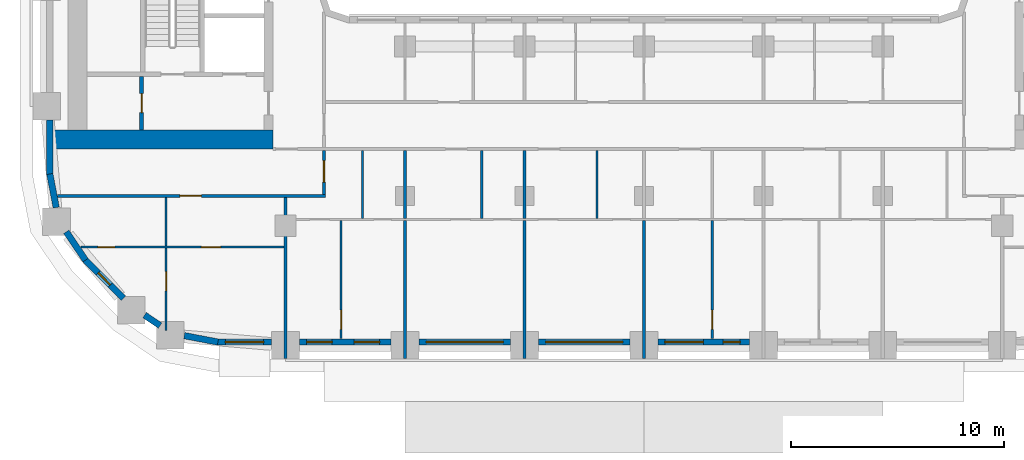
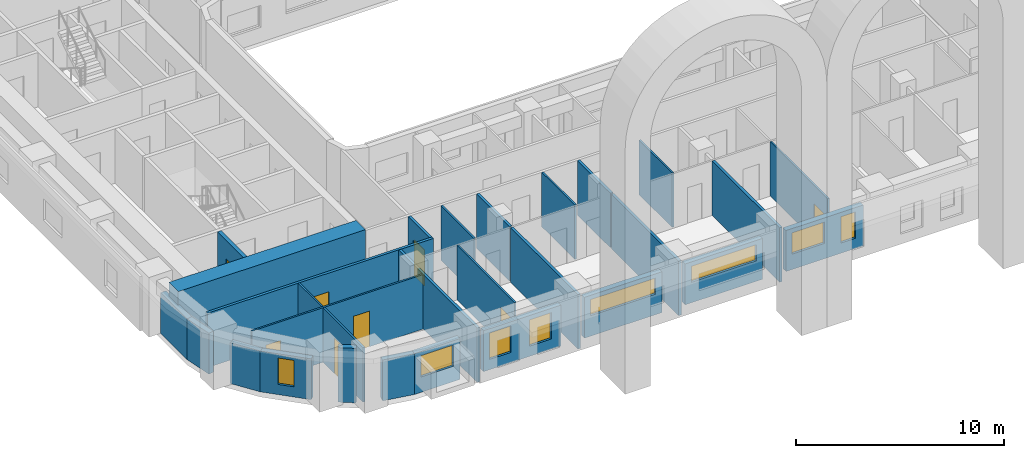
# One storey, part 2 of 19: 29 walls, 8 doors, 8 windows, 16 openings.
"""IFC4 building model written with IfcOpenShell, lengths in metres."""

import ifcopenshell
import ifcopenshell.guid

model = None  # the IFC model being written
_history = None  # IfcOwnerHistory: only IFC2X3 demands one
_inside = {}  # id of a spatial element -> (the spatial element, [elements in it])
_under = {}  # id of a project, library or spatial element -> (it, [spatial elements below it])
_declared = {}  # id of a project -> (the project, [libraries it declares])
_typed = {}  # id of a type object -> (the type object, [elements of that type])
_made_of = {}  # id of a material, layer set ... -> (it, [elements and type objects made of it])


def new_model(schema):
    """Start an empty IFC model of exactly this schema.

    Asked for "IFC4X3", IfcOpenShell would pick the latest addendum, in which some entities
    have other attributes; the version numbers below select the first issue.
    IFC2X3 requires an IfcOwnerHistory on every rooted entity: one is made here for all.
    """
    global model, _history
    if schema == "IFC4X3":
        model = ifcopenshell.file(schema_version=(4, 3, 0, 0))
    else:
        model = ifcopenshell.file(schema=schema)
    _inside.clear()
    _under.clear()
    _declared.clear()
    _typed.clear()
    _made_of.clear()
    _history = None
    if model.schema == "IFC2X3":
        org = make("IfcOrganization", Name="unknown")
        user = make(
            "IfcPersonAndOrganization",
            ThePerson=make("IfcPerson", FamilyName="unknown"),
            TheOrganization=org,
        )
        app = make(
            "IfcApplication",
            ApplicationDeveloper=org,
            Version="unknown",
            ApplicationFullName="unknown",
            ApplicationIdentifier="unknown",
        )
        _history = make(
            "IfcOwnerHistory",
            OwningUser=user,
            OwningApplication=app,
            ChangeAction="ADDED",
            CreationDate=0,
        )
    return model


def make(cls, **values):
    """One entity of the class cls with the attributes given. An attribute that is None is left unset."""
    return model.create_entity(
        cls, **{name: value for name, value in values.items() if value is not None}
    )


def rooted(cls, **values):
    """An entity with a GlobalId (a new one), such as an element, a storey or a relation."""
    return make(cls, GlobalId=ifcopenshell.guid.new(), OwnerHistory=_history, **values)


def si_unit(unit_type, name, prefix=None):
    """IfcSIUnit, for example si_unit("LENGTHUNIT", "METRE", prefix="MILLI")."""
    return make("IfcSIUnit", UnitType=unit_type, Prefix=prefix, Name=name)


def assignment(units):
    """IfcUnitAssignment: the units of a project."""
    return None if units is None else make("IfcUnitAssignment", Units=units)


def point(xyz):
    """IfcCartesianPoint."""
    return None if xyz is None else make("IfcCartesianPoint", Coordinates=xyz)


def direction(xyz):
    """IfcDirection."""
    return None if xyz is None else make("IfcDirection", DirectionRatios=xyz)


def frame(location, z_axis=None, x_axis=None):
    """IfcAxis2Placement3D, a coordinate frame: its origin and axes. An axis left out is left unset."""
    return make(
        "IfcAxis2Placement3D",
        Location=point(location),
        Axis=direction(z_axis),
        RefDirection=direction(x_axis),
    )


def frame_2d(location, x_axis=None):
    """IfcAxis2Placement2D, a coordinate frame in the plane: its origin and x axis."""
    return make(
        "IfcAxis2Placement2D", Location=point(location), RefDirection=direction(x_axis)
    )


def origin():
    """The frame at (0, 0, 0) with its axes left unset."""
    return frame((0.0, 0.0, 0.0))


def place(relative_to, where):
    """IfcLocalPlacement: puts the frame where relative to a parent placement (None: the world)."""
    return make(
        "IfcLocalPlacement", PlacementRelTo=relative_to, RelativePlacement=where
    )


def context(
    kind, dimensions, precision=None, world=None, true_north=None, identifier=None
):
    """IfcGeometricRepresentationContext, for example the 3D "Model" context."""
    return make(
        "IfcGeometricRepresentationContext",
        ContextIdentifier=identifier,
        ContextType=kind,
        CoordinateSpaceDimension=dimensions,
        Precision=precision,
        WorldCoordinateSystem=world,
        TrueNorth=true_north,
    )


def subcontext(parent, identifier, kind, view, scale=None):
    """IfcGeometricRepresentationSubContext, for example "Body" below "Model"."""
    return make(
        "IfcGeometricRepresentationSubContext",
        ContextIdentifier=identifier,
        ContextType=kind,
        ParentContext=parent,
        TargetScale=scale,
        TargetView=view,
    )


def project(units=None, contexts=None):
    """IfcProject with its units and contexts."""
    return rooted(
        "IfcProject",
        Name="project",
        RepresentationContexts=contexts,
        UnitsInContext=assignment(units),
    )


def spatial(cls, under=None, at=None, **own):
    """A site, building, storey or space (cls), placed at a placement, below another one or the project."""
    s = rooted(cls, ObjectPlacement=at, **own)
    if under is not None:
        _under.setdefault(under.id(), (under, []))[1].append(s)
    return s


def profile(cls, at=None, kind="AREA", **sizes):
    """A parametric profile (cls). Its sizes go by their IFC names, for example OverallWidth=200.0."""
    return make(cls, ProfileType=kind, Position=at, **sizes)


def rectangle(**sizes):
    """IfcRectangleProfileDef."""
    return profile("IfcRectangleProfileDef", **sizes)


def extrude(swept, where, along, depth):
    """IfcExtrudedAreaSolid: the profile swept, set in the frame where, extruded along a direction by depth."""
    return make(
        "IfcExtrudedAreaSolid",
        SweptArea=swept,
        Position=where,
        ExtrudedDirection=direction(along),
        Depth=depth,
    )


def shape(context_of_items, identifier, shape_type, items):
    """IfcShapeRepresentation: the items that make up one representation, for example the "Body"."""
    return make(
        "IfcShapeRepresentation",
        ContextOfItems=context_of_items,
        RepresentationIdentifier=identifier,
        RepresentationType=shape_type,
        Items=items,
    )


def material(Name=None, Category=None):
    """IfcMaterial."""
    return make("IfcMaterial", Name=Name, Category=Category)


def layer(
    of_material, thickness, ventilated=None, Name=None, Category=None, Priority=None
):
    """IfcMaterialLayer: one layer of a wall or slab, of a material (None: an air gap)."""
    return make(
        "IfcMaterialLayer",
        Material=of_material,
        LayerThickness=thickness,
        IsVentilated=ventilated,
        Name=Name,
        Category=Category,
        Priority=Priority,
    )


def layer_set(layers, Name=None):
    """IfcMaterialLayerSet."""
    return make("IfcMaterialLayerSet", MaterialLayers=layers, LayerSetName=Name)


def made_of(thing, what):
    """Note that an element or type object is made of a material, layer set ...; save() writes the relation."""
    if what is not None:
        _made_of.setdefault(what.id(), (what, []))[1].append(thing)
    return thing


def type_object(cls, material=None, **own):
    """A type object (cls), such as IfcWallType, which elements share."""
    return made_of(rooted(cls, **own), material)


def element(
    cls,
    number,
    at=None,
    inside=None,
    cuts=None,
    type_object=None,
    material=None,
    context=None,
    identifier="Body",
    shape_type=None,
    held_by="IfcProductDefinitionShape",
    body=None,
    shapes=None,
    **own,
):
    """One element of the class cls, such as IfcWall. Its Tag is "e" and its number.

    at: its placement. inside: the storey or other place that contains it. cuts: it is an
    opening in that element (IfcRelVoidsElement). A single representation is given by context,
    identifier, shape_type and body (its items); several are given by shapes. held_by: the class
    of the entity that holds the representations. save() writes the other relations.
    """
    e = rooted(cls, Tag="e%d" % number, ObjectPlacement=at, **own)
    if body is not None:
        shapes = [shape(context, identifier, shape_type, body)]
    if shapes is not None:
        e.Representation = make(held_by, Representations=shapes)
    if inside is not None:
        _inside.setdefault(inside.id(), (inside, []))[1].append(e)
    if cuts is not None:
        rooted(
            "IfcRelVoidsElement", RelatingBuildingElement=cuts, RelatedOpeningElement=e
        )
    if type_object is not None:
        _typed.setdefault(type_object.id(), (type_object, []))[1].append(e)
    return made_of(e, material)


def fill(opening, filler):
    """IfcRelFillsElement: the door or window that sits in an opening."""
    return rooted(
        "IfcRelFillsElement",
        RelatingOpeningElement=opening,
        RelatedBuildingElement=filler,
    )


def aggregate(whole, parts):
    """IfcRelAggregates: a whole, such as a stair, and the parts it consists of."""
    return rooted("IfcRelAggregates", RelatingObject=whole, RelatedObjects=parts)


def save(model, path):
    """Write the relations noted so far, then the file.

    IfcRelAggregates (storeys below a building ...), IfcRelContainedInSpatialStructure (elements
    in a storey), IfcRelDefinesByType, IfcRelAssociatesMaterial and IfcRelDeclares: one each for
    every whole, place, type object, material and project.
    """
    for whole, parts in _under.values():
        aggregate(whole, parts)
    for where, things in _inside.values():
        rooted(
            "IfcRelContainedInSpatialStructure",
            RelatedElements=things,
            RelatingStructure=where,
        )
    for kind, things in _typed.values():
        rooted("IfcRelDefinesByType", RelatedObjects=things, RelatingType=kind)
    for what, things in _made_of.values():
        rooted("IfcRelAssociatesMaterial", RelatedObjects=things, RelatingMaterial=what)
    for by, libraries in _declared.values():
        rooted("IfcRelDeclares", RelatingContext=by, RelatedDefinitions=libraries)
    model.write(path)


model = new_model("IFC4")

# Units and contexts
model_context = context("Model", 3, precision=1e-05, world=origin(), true_north=direction((0.0, 1.0)))
body_context = subcontext(model_context, "Body", "Model", "MODEL_VIEW")
ifc_project = project(units=[si_unit("LENGTHUNIT", "METRE"), si_unit("AREAUNIT", "SQUARE_METRE"), si_unit("VOLUMEUNIT", "CUBIC_METRE"), si_unit("PLANEANGLEUNIT", "RADIAN"), si_unit("MASSUNIT", "GRAM", prefix="KILO")], contexts=[model_context])

# Site, building, storey
site_placement = place(None, origin())
site = spatial("IfcSite", under=ifc_project, at=site_placement, CompositionType="ELEMENT")
building_placement = place(site_placement, origin())
building = spatial("IfcBuilding", under=site, at=building_placement, Name="Kiln Ring Residences", CompositionType="ELEMENT")
storey_placement = place(building_placement, frame((0.0, 0.0, 104.300048828125)))
storey = spatial("IfcBuildingStorey", under=building, at=storey_placement, Name="L26", CompositionType="ELEMENT", Elevation=104.300048828125)

# Wall, opening, door
ifc_material_1 = material(Name="Gypsum board on steel studs", Category="steel")
ifc_layer_1 = layer(ifc_material_1, 0.199951171875)
ifc_layer_set_1 = layer_set([ifc_layer_1], Name="CORE-PARTITION-200")
wall_type_1 = type_object("IfcWallType", Name="CORE-PARTITION-200", PredefinedType="PARTITIONING", material=ifc_layer_set_1)
wall_1_placement = place(storey_placement, frame((-23.550048828125, -12.300048828125, 0.0), z_axis=(0.0, 0.0, 1.0), x_axis=(0.0, 1.0, 0.0)))
wall_1 = element("IfcWall", 1, at=wall_1_placement, inside=storey, type_object=wall_type_1, Name="Core partition west L26 5", PredefinedType="PARTITIONING", context=body_context, shape_type="SweptSolid", body=[
    extrude(rectangle(XDim=2.5, YDim=0.199951171875, at=frame_2d((1.25, 0.0))), origin(), (0.0, 0.0, 1.0), 3.199951171875),
])
opening_1_placement = place(wall_1_placement, frame((0.800048828125, 0.0, 0.0)))
opening_1 = element("IfcOpeningElement", 2, at=opening_1_placement, cuts=wall_1, Name="Opening L26-CW11", PredefinedType="OPENING", context=body_context, shape_type="SweptSolid", body=[
    extrude(rectangle(XDim=0.89990234375, YDim=2.10009765625, at=frame_2d((0.449951171875, 1.050048828125))), frame((0.0, 0.10986328125, 0.0), z_axis=(0.0, -1.0, 0.0), x_axis=(1.0, 0.0, 0.0)), (0.0, 0.0, 1.0), 0.219970703125),
])
ifc_material_2 = material(Name="Steel door leaf", Category="steel")
door_type_1 = type_object("IfcDoorType", Name="CORE-DOOR-ROOM", OperationType="SINGLE_SWING_LEFT", PredefinedType="DOOR", material=ifc_material_2)
door_1_placement = place(opening_1_placement, origin())
door_1 = element("IfcDoor", 3, at=door_1_placement, inside=storey, type_object=door_type_1, Name="Store L26-CW11", OperationType="SINGLE_SWING_LEFT", OverallHeight=2.10009765625, OverallWidth=0.89990234375, PredefinedType="DOOR", context=body_context, shape_type="SweptSolid", body=[
    extrude(rectangle(XDim=0.89990234375, YDim=2.10009765625, at=frame_2d((0.449951171875, 1.050048828125))), frame((0.0, 0.02490234375, 0.0), z_axis=(0.0, -1.0, 0.0), x_axis=(1.0, 0.0, 0.0)), (0.0, 0.0, 1.0), 0.050048828125),
])
fill(opening_1, door_1)

# Wall
ifc_material_3 = material(Name="Concrete C60/75", Category="concrete")
ifc_layer_2 = layer(ifc_material_3, 0.89990234375)
ifc_layer_set_2 = layer_set([ifc_layer_2], Name="CORE-WALL-RC900")
wall_type_2 = type_object("IfcWallType", Name="CORE-WALL-RC900", PredefinedType="SHEAR", material=ifc_layer_set_2)
wall_2_placement = place(storey_placement, frame((-17.39990234375, -12.75, 0.0), z_axis=(0.0, 0.0, 1.0), x_axis=(-1.0, 0.0, 0.0)))
element("IfcWall", 4, at=wall_2_placement, inside=storey, type_object=wall_type_2, Name="Core wall west L26 5", PredefinedType="SHEAR", context=body_context, shape_type="SweptSolid", body=[
    extrude(rectangle(XDim=10.400146484375, YDim=0.89990234375, at=frame_2d((5.2001953125, 0.0))), origin(), (0.0, 0.0, 1.0), 3.199951171875),
])

# Wall, opening, window
ifc_material_4 = material(Name="Brick masonry, dark clay brick", Category="masonry")
ifc_layer_3 = layer(ifc_material_4, 0.300048828125)
ifc_layer_set_3 = layer_set([ifc_layer_3], Name="EW-300 BRICK WALL")
wall_type_3 = type_object("IfcWallType", Name="EW-300 BRICK WALL", PredefinedType="SOLIDWALL", material=ifc_layer_set_3)
wall_3_placement = place(storey_placement, frame((-26.19677734375, -18.390869140625, 0.0), z_axis=(0.0, 0.0, 1.0), x_axis=(0.707058908279, -0.707154650853, 0.0)))
wall_3 = element("IfcWall", 5, at=wall_3_placement, inside=storey, type_object=wall_type_3, Name="Facade wall L26 1", PredefinedType="SOLIDWALL", context=body_context, shape_type="SweptSolid", body=[
    extrude(rectangle(XDim=2.550048828125, YDim=0.300048828125, at=frame_2d((1.27490234375, 0.0))), origin(), (0.0, 0.0, 1.0), 2.39990234375),
])
opening_2_placement = place(wall_3_placement, frame((0.875, 0.0, 0.60009765625)))
opening_2 = element("IfcOpeningElement", 6, at=opening_2_placement, cuts=wall_3, Name="Opening W5", PredefinedType="OPENING", context=body_context, shape_type="SweptSolid", body=[
    extrude(rectangle(XDim=0.800048828125, YDim=1.550048828125, at=frame_2d((0.39990234375, 0.77490234375))), frame((0.0, 0.159912109375, 0.0), z_axis=(0.0, -1.0, 0.0), x_axis=(1.0, 0.0, 0.0)), (0.0, 0.0, 1.0), 0.320068359375),
])
ifc_material_5 = material(Name="Aluminium frame with double glazing", Category="aluminium")
window_type_1 = type_object("IfcWindowType", Name="WINDOW 800 x 1550", PartitioningType="SINGLE_PANEL", PredefinedType="WINDOW", material=ifc_material_5)
window_1_placement = place(opening_2_placement, origin())
window_1 = element("IfcWindow", 7, at=window_1_placement, inside=storey, type_object=window_type_1, Name="Window L26 1", OverallHeight=1.550048828125, OverallWidth=0.800048828125, PartitioningType="SINGLE_PANEL", PredefinedType="WINDOW", context=body_context, shape_type="SweptSolid", body=[
    extrude(rectangle(XDim=0.800048828125, YDim=1.550048828125, at=frame_2d((0.39990234375, 0.77490234375))), frame((0.0, 0.030029296875, 0.0), z_axis=(0.0, -1.0, 0.0), x_axis=(1.0, 0.0, 0.0)), (0.0, 0.0, 1.0), 0.06005859375),
])
fill(opening_2, window_1)

# Walls
wall_4_placement = place(storey_placement, frame((-23.409912109375, -20.988525390625, 0.0), z_axis=(0.0, 0.0, 1.0), x_axis=(0.827050703543, -0.562127328787, 0.0)))
element("IfcWall", 8, at=wall_4_placement, inside=storey, type_object=wall_type_3, Name="Facade wall L26 2", PredefinedType="SOLIDWALL", context=body_context, shape_type="SweptSolid", body=[
    extrude(rectangle(XDim=0.877197265625, YDim=0.300048828125, at=frame_2d((0.4384765625, 0.0))), origin(), (0.0, 0.0, 1.0), 3.199951171875),
])
wall_5_placement = place(storey_placement, frame((-21.549560546875, -21.95166015625, 0.0), z_axis=(0.0, 0.0, 1.0), x_axis=(0.982278644094, -0.187426426519, 0.0)))
element("IfcWall", 9, at=wall_5_placement, inside=storey, type_object=wall_type_3, Name="Facade wall L26 3", PredefinedType="SOLIDWALL", context=body_context, shape_type="SweptSolid", body=[
    extrude(rectangle(XDim=1.606201171875, YDim=0.300048828125, at=frame_2d((0.80322265625, 0.0))), origin(), (0.0, 0.0, 1.0), 2.39990234375),
])

# Wall, opening, window
wall_6_placement = place(storey_placement, frame((-20.0, -22.25, 0.0), z_axis=(0.0, 0.0, 1.0), x_axis=(1.0, 0.0, 0.0)))
wall_6 = element("IfcWall", 10, at=wall_6_placement, inside=storey, type_object=wall_type_3, Name="Facade wall L26 4", PredefinedType="SOLIDWALL", context=body_context, shape_type="SweptSolid", body=[
    extrude(rectangle(XDim=2.550048828125, YDim=0.300048828125, at=frame_2d((1.27490234375, 0.0))), origin(), (0.0, 0.0, 1.0), 2.39990234375),
])
opening_3_placement = place(wall_6_placement, frame((0.375, 0.0, 0.89990234375)))
opening_3 = element("IfcOpeningElement", 11, at=opening_3_placement, cuts=wall_6, Name="Opening W2", PredefinedType="OPENING", context=body_context, shape_type="SweptSolid", body=[
    extrude(rectangle(XDim=1.800048828125, YDim=1.25, at=frame_2d((0.89990234375, 0.625))), frame((0.0, 0.159912109375, 0.0), z_axis=(0.0, -1.0, 0.0), x_axis=(1.0, 0.0, 0.0)), (0.0, 0.0, 1.0), 0.320068359375),
])
ifc_material_6 = material(Name="Aluminium frame with double glazing", Category="aluminium")
window_type_2 = type_object("IfcWindowType", Name="WINDOW 1800 x 1250", PartitioningType="SINGLE_PANEL", PredefinedType="WINDOW", material=ifc_material_6)
window_2_placement = place(opening_3_placement, origin())
window_2 = element("IfcWindow", 12, at=window_2_placement, inside=storey, type_object=window_type_2, Name="Window L26 2", OverallHeight=1.25, OverallWidth=1.800048828125, PartitioningType="SINGLE_PANEL", PredefinedType="WINDOW", context=body_context, shape_type="SweptSolid", body=[
    extrude(rectangle(XDim=1.800048828125, YDim=1.25, at=frame_2d((0.89990234375, 0.625))), frame((0.0, 0.030029296875, 0.0), z_axis=(0.0, -1.0, 0.0), x_axis=(1.0, 0.0, 0.0)), (0.0, 0.0, 1.0), 0.06005859375),
])
fill(opening_3, window_2)

# Wall, openings, windows
wall_7_placement = place(storey_placement, frame((-16.14990234375, -22.25, 0.0), z_axis=(0.0, 0.0, 1.0), x_axis=(1.0, 0.0, 0.0)))
wall_7 = element("IfcWall", 13, at=wall_7_placement, inside=storey, type_object=wall_type_3, Name="Facade wall L26 5", PredefinedType="SOLIDWALL", context=body_context, shape_type="SweptSolid", body=[
    extrude(rectangle(XDim=4.2998046875, YDim=0.300048828125, at=frame_2d((2.14990234375, 0.0))), origin(), (0.0, 0.0, 1.0), 2.39990234375),
])
opening_4_placement = place(wall_7_placement, frame((0.33740234375, 0.0, 0.60009765625)))
opening_4 = element("IfcOpeningElement", 14, at=opening_4_placement, cuts=wall_7, Name="Opening W1", PredefinedType="OPENING", context=body_context, shape_type="SweptSolid", body=[
    extrude(rectangle(XDim=1.199951171875, YDim=1.550048828125, at=frame_2d((0.60009765625, 0.77490234375))), frame((0.0, 0.159912109375, 0.0), z_axis=(0.0, -1.0, 0.0), x_axis=(1.0, 0.0, 0.0)), (0.0, 0.0, 1.0), 0.320068359375),
])
opening_5_placement = place(wall_7_placement, frame((2.5625, 0.0, 0.60009765625)))
opening_5 = element("IfcOpeningElement", 15, at=opening_5_placement, cuts=wall_7, Name="Opening W1", PredefinedType="OPENING", context=body_context, shape_type="SweptSolid", body=[
    extrude(rectangle(XDim=1.199951171875, YDim=1.550048828125, at=frame_2d((0.60009765625, 0.77490234375))), frame((0.0, 0.159912109375, 0.0), z_axis=(0.0, -1.0, 0.0), x_axis=(1.0, 0.0, 0.0)), (0.0, 0.0, 1.0), 0.320068359375),
])
ifc_material_7 = material(Name="Aluminium frame with double glazing", Category="aluminium")
window_type_3 = type_object("IfcWindowType", Name="WINDOW 1200 x 1550", PartitioningType="SINGLE_PANEL", PredefinedType="WINDOW", material=ifc_material_7)
window_3_placement = place(opening_4_placement, origin())
window_3 = element("IfcWindow", 16, at=window_3_placement, inside=storey, type_object=window_type_3, Name="Window L26 3", OverallHeight=1.550048828125, OverallWidth=1.199951171875, PartitioningType="SINGLE_PANEL", PredefinedType="WINDOW", context=body_context, shape_type="SweptSolid", body=[
    extrude(rectangle(XDim=1.199951171875, YDim=1.550048828125, at=frame_2d((0.60009765625, 0.77490234375))), frame((0.0, 0.030029296875, 0.0), z_axis=(0.0, -1.0, 0.0), x_axis=(1.0, 0.0, 0.0)), (0.0, 0.0, 1.0), 0.06005859375),
])
fill(opening_4, window_3)
window_4_placement = place(opening_5_placement, origin())
window_4 = element("IfcWindow", 17, at=window_4_placement, inside=storey, type_object=window_type_3, Name="Window L26 4", OverallHeight=1.550048828125, OverallWidth=1.199951171875, PartitioningType="SINGLE_PANEL", PredefinedType="WINDOW", context=body_context, shape_type="SweptSolid", body=[
    extrude(rectangle(XDim=1.199951171875, YDim=1.550048828125, at=frame_2d((0.60009765625, 0.77490234375))), frame((0.0, 0.030029296875, 0.0), z_axis=(0.0, -1.0, 0.0), x_axis=(1.0, 0.0, 0.0)), (0.0, 0.0, 1.0), 0.06005859375),
])
fill(opening_5, window_4)

# Wall, opening, window
wall_8_placement = place(storey_placement, frame((-10.550048828125, -22.25, 0.0), z_axis=(0.0, 0.0, 1.0), x_axis=(1.0, 0.0, 0.0)))
wall_8 = element("IfcWall", 18, at=wall_8_placement, inside=storey, type_object=wall_type_3, Name="Facade wall L26 6", PredefinedType="SOLIDWALL", context=body_context, shape_type="SweptSolid", body=[
    extrude(rectangle(XDim=4.300048828125, YDim=0.300048828125, at=frame_2d((2.14990234375, 0.0))), origin(), (0.0, 0.0, 1.0), 2.39990234375),
])
opening_6_placement = place(wall_8_placement, frame((0.35009765625, 0.0, 1.199951171875)))
opening_6 = element("IfcOpeningElement", 19, at=opening_6_placement, cuts=wall_8, Name="Opening W4", PredefinedType="OPENING", context=body_context, shape_type="SweptSolid", body=[
    extrude(rectangle(XDim=3.60009765625, YDim=0.949951171875, at=frame_2d((1.800048828125, 0.47509765625))), frame((0.0, 0.159912109375, 0.0), z_axis=(0.0, -1.0, 0.0), x_axis=(1.0, 0.0, 0.0)), (0.0, 0.0, 1.0), 0.320068359375),
])
ifc_material_8 = material(Name="Aluminium frame with double glazing", Category="aluminium")
window_type_4 = type_object("IfcWindowType", Name="WINDOW 3600 x 950", PartitioningType="SINGLE_PANEL", PredefinedType="WINDOW", material=ifc_material_8)
window_5_placement = place(opening_6_placement, origin())
window_5 = element("IfcWindow", 20, at=window_5_placement, inside=storey, type_object=window_type_4, Name="Window L26 5", OverallHeight=0.949951171875, OverallWidth=3.60009765625, PartitioningType="SINGLE_PANEL", PredefinedType="WINDOW", context=body_context, shape_type="SweptSolid", body=[
    extrude(rectangle(XDim=3.60009765625, YDim=0.949951171875, at=frame_2d((1.800048828125, 0.47509765625))), frame((0.0, 0.030029296875, 0.0), z_axis=(0.0, -1.0, 0.0), x_axis=(1.0, 0.0, 0.0)), (0.0, 0.0, 1.0), 0.06005859375),
])
fill(opening_6, window_5)

wall_9_placement = place(storey_placement, frame((-4.949951171875, -22.25, 0.0), z_axis=(0.0, 0.0, 1.0), x_axis=(1.0, 0.0, 0.0)))
wall_9 = element("IfcWall", 21, at=wall_9_placement, inside=storey, type_object=wall_type_3, Name="Facade wall L26 7", PredefinedType="SOLIDWALL", context=body_context, shape_type="SweptSolid", body=[
    extrude(rectangle(XDim=4.300048828125, YDim=0.300048828125, at=frame_2d((2.14990234375, 0.0))), origin(), (0.0, 0.0, 1.0), 2.39990234375),
])
opening_7_placement = place(wall_9_placement, frame((0.35009765625, 0.0, 1.199951171875)))
opening_7 = element("IfcOpeningElement", 22, at=opening_7_placement, cuts=wall_9, Name="Opening W4", PredefinedType="OPENING", context=body_context, shape_type="SweptSolid", body=[
    extrude(rectangle(XDim=3.60009765625, YDim=0.949951171875, at=frame_2d((1.800048828125, 0.47509765625))), frame((0.0, 0.159912109375, 0.0), z_axis=(0.0, -1.0, 0.0), x_axis=(1.0, 0.0, 0.0)), (0.0, 0.0, 1.0), 0.320068359375),
])
window_6_placement = place(opening_7_placement, origin())
window_6 = element("IfcWindow", 23, at=window_6_placement, inside=storey, type_object=window_type_4, Name="Window L26 6", OverallHeight=0.949951171875, OverallWidth=3.60009765625, PartitioningType="SINGLE_PANEL", PredefinedType="WINDOW", context=body_context, shape_type="SweptSolid", body=[
    extrude(rectangle(XDim=3.60009765625, YDim=0.949951171875, at=frame_2d((1.800048828125, 0.47509765625))), frame((0.0, 0.030029296875, 0.0), z_axis=(0.0, -1.0, 0.0), x_axis=(1.0, 0.0, 0.0)), (0.0, 0.0, 1.0), 0.06005859375),
])
fill(opening_7, window_6)

# Wall, openings, windows
wall_10_placement = place(storey_placement, frame((0.64990234375, -22.25, 0.0), z_axis=(0.0, 0.0, 1.0), x_axis=(1.0, 0.0, 0.0)))
wall_10 = element("IfcWall", 24, at=wall_10_placement, inside=storey, type_object=wall_type_3, Name="Facade wall L26 8", PredefinedType="SOLIDWALL", context=body_context, shape_type="SweptSolid", body=[
    extrude(rectangle(XDim=4.300048828125, YDim=0.300048828125, at=frame_2d((2.14990234375, 0.0))), origin(), (0.0, 0.0, 1.0), 2.39990234375),
])
opening_8_placement = place(wall_10_placement, frame((0.33740234375, 0.0, 0.89990234375)))
opening_8 = element("IfcOpeningElement", 25, at=opening_8_placement, cuts=wall_10, Name="Opening W2", PredefinedType="OPENING", context=body_context, shape_type="SweptSolid", body=[
    extrude(rectangle(XDim=1.800048828125, YDim=1.25, at=frame_2d((0.89990234375, 0.625))), frame((0.0, 0.159912109375, 0.0), z_axis=(0.0, -1.0, 0.0), x_axis=(1.0, 0.0, 0.0)), (0.0, 0.0, 1.0), 0.320068359375),
])
opening_9_placement = place(wall_10_placement, frame((3.0625, 0.0, 0.60009765625)))
opening_9 = element("IfcOpeningElement", 26, at=opening_9_placement, cuts=wall_10, Name="Opening W5", PredefinedType="OPENING", context=body_context, shape_type="SweptSolid", body=[
    extrude(rectangle(XDim=0.800048828125, YDim=1.550048828125, at=frame_2d((0.39990234375, 0.77490234375))), frame((0.0, 0.159912109375, 0.0), z_axis=(0.0, -1.0, 0.0), x_axis=(1.0, 0.0, 0.0)), (0.0, 0.0, 1.0), 0.320068359375),
])
window_7_placement = place(opening_8_placement, origin())
window_7 = element("IfcWindow", 27, at=window_7_placement, inside=storey, type_object=window_type_2, Name="Window L26 7", OverallHeight=1.25, OverallWidth=1.800048828125, PartitioningType="SINGLE_PANEL", PredefinedType="WINDOW", context=body_context, shape_type="SweptSolid", body=[
    extrude(rectangle(XDim=1.800048828125, YDim=1.25, at=frame_2d((0.89990234375, 0.625))), frame((0.0, 0.030029296875, 0.0), z_axis=(0.0, -1.0, 0.0), x_axis=(1.0, 0.0, 0.0)), (0.0, 0.0, 1.0), 0.06005859375),
])
fill(opening_8, window_7)
window_8_placement = place(opening_9_placement, origin())
window_8 = element("IfcWindow", 28, at=window_8_placement, inside=storey, type_object=window_type_1, Name="Window L26 8", OverallHeight=1.550048828125, OverallWidth=0.800048828125, PartitioningType="SINGLE_PANEL", PredefinedType="WINDOW", context=body_context, shape_type="SweptSolid", body=[
    extrude(rectangle(XDim=0.800048828125, YDim=1.550048828125, at=frame_2d((0.39990234375, 0.77490234375))), frame((0.0, 0.030029296875, 0.0), z_axis=(0.0, -1.0, 0.0), x_axis=(1.0, 0.0, 0.0)), (0.0, 0.0, 1.0), 0.06005859375),
])
fill(opening_9, window_8)

# Walls
wall_11_placement = place(storey_placement, frame((-27.85009765625, -11.85009765625, 0.0), z_axis=(0.0, 0.0, 1.0), x_axis=(0.0, -1.0, 0.0)))
element("IfcWall", 29, at=wall_11_placement, inside=storey, type_object=wall_type_3, Name="Facade wall L26 46", PredefinedType="SOLIDWALL", context=body_context, shape_type="SweptSolid", body=[
    extrude(rectangle(XDim=2.5498046875, YDim=0.300048828125, at=frame_2d((1.27490234375, 0.0))), origin(), (0.0, 0.0, 1.0), 2.39990234375),
])
for number, where, z_axis, x_axis, name in (
    (30, (-27.8525390625, -14.371826171875, 0.0), (0.0, 0.0, 1.0), (0.187279751651, -0.982306619453, 0.0), "Facade wall L26 47"),
    (31, (-27.08154296875, -17.08447265625, 0.0), (0.0, 0.0, 1.0), (0.562010605531, -0.827130025613, 0.0), "Facade wall L26 48"),
):
    element("IfcWall", number, at=place(storey_placement, frame(where, z_axis=z_axis, x_axis=x_axis)), inside=storey, type_object=wall_type_3, Name=name, PredefinedType="SOLIDWALL", context=body_context, shape_type="SweptSolid", body=[
        extrude(rectangle(XDim=1.60595703125, YDim=0.300048828125, at=frame_2d((0.802978515625, 0.0))), origin(), (0.0, 0.0, 1.0), 2.39990234375),
    ])

# Wall, openings, doors
ifc_material_9 = material(Name="Gypsum board on steel studs", Category="steel")
ifc_layer_4 = layer(ifc_material_9, 0.10009765625)
ifc_layer_set_4 = layer_set([ifc_layer_4], Name="PARTITION-100")
wall_type_4 = type_object("IfcWallType", Name="PARTITION-100", PredefinedType="PARTITIONING", material=ifc_layer_set_4)
wall_12_placement = place(storey_placement, frame((-26.39404296875, -17.800048828125, 0.0), z_axis=(0.0, 0.0, 1.0), x_axis=(1.0, 0.0, 0.0)))
wall_12 = element("IfcWall", 32, at=wall_12_placement, inside=storey, type_object=wall_type_4, Name="Partition 000", PredefinedType="PARTITIONING", context=body_context, shape_type="SweptSolid", body=[
    extrude(rectangle(XDim=9.51904296875, YDim=0.10009765625, at=frame_2d((4.759521484375, 0.0))), origin(), (0.0, 0.0, 1.0), 3.199951171875),
])
opening_10_placement = place(wall_12_placement, frame((0.7939453125, 0.0, 0.0)))
opening_10 = element("IfcOpeningElement", 33, at=opening_10_placement, cuts=wall_12, Name="Opening L26-D078", PredefinedType="OPENING", context=body_context, shape_type="SweptSolid", body=[
    extrude(rectangle(XDim=0.800048828125, YDim=2.10009765625, at=frame_2d((0.39990234375, 1.050048828125))), frame((0.0, 0.06005859375, 0.0), z_axis=(0.0, -1.0, 0.0), x_axis=(1.0, 0.0, 0.0)), (0.0, 0.0, 1.0), 0.1201171875),
])
opening_11_placement = place(wall_12_placement, frame((5.64404296875, 0.0, 0.0)))
opening_11 = element("IfcOpeningElement", 34, at=opening_11_placement, cuts=wall_12, Name="Opening L26-D079", PredefinedType="OPENING", context=body_context, shape_type="SweptSolid", body=[
    extrude(rectangle(XDim=0.89990234375, YDim=2.10009765625, at=frame_2d((0.449951171875, 1.050048828125))), frame((0.0, 0.06005859375, 0.0), z_axis=(0.0, -1.0, 0.0), x_axis=(1.0, 0.0, 0.0)), (0.0, 0.0, 1.0), 0.1201171875),
])
ifc_material_10 = material(Name="Timber door leaf", Category="wood")
door_type_2 = type_object("IfcDoorType", Name="FLAT-DOOR-800-PL", OperationType="SINGLE_SWING_LEFT", PredefinedType="DOOR", material=ifc_material_10)
door_2_placement = place(opening_10_placement, origin())
door_2 = element("IfcDoor", 35, at=door_2_placement, inside=storey, type_object=door_type_2, Name="Door L26-D078", OperationType="SINGLE_SWING_RIGHT", OverallHeight=2.10009765625, OverallWidth=0.800048828125, PredefinedType="DOOR", context=body_context, shape_type="SweptSolid", body=[
    extrude(rectangle(XDim=0.800048828125, YDim=2.10009765625, at=frame_2d((0.39990234375, 1.050048828125))), frame((0.0, 0.02490234375, 0.0), z_axis=(0.0, -1.0, 0.0), x_axis=(1.0, 0.0, 0.0)), (0.0, 0.0, 1.0), 0.050048828125),
])
fill(opening_10, door_2)
ifc_material_11 = material(Name="Timber door leaf", Category="wood")
door_type_3 = type_object("IfcDoorType", Name="FLAT-DOOR-900-PL", OperationType="SINGLE_SWING_LEFT", PredefinedType="DOOR", material=ifc_material_11)
door_3_placement = place(opening_11_placement, origin())
door_3 = element("IfcDoor", 36, at=door_3_placement, inside=storey, type_object=door_type_3, Name="Door L26-D079", OperationType="SINGLE_SWING_LEFT", OverallHeight=2.10009765625, OverallWidth=0.89990234375, PredefinedType="DOOR", context=body_context, shape_type="SweptSolid", body=[
    extrude(rectangle(XDim=0.89990234375, YDim=2.10009765625, at=frame_2d((0.449951171875, 1.050048828125))), frame((0.0, 0.02490234375, 0.0), z_axis=(0.0, -1.0, 0.0), x_axis=(1.0, 0.0, 0.0)), (0.0, 0.0, 1.0), 0.050048828125),
])
fill(opening_11, door_3)

# Wall, opening, door
wall_13_placement = place(storey_placement, frame((-22.39990234375, -21.719970703125, 0.0), z_axis=(0.0, 0.0, 1.0), x_axis=(0.0, 1.0, 0.0)))
wall_13 = element("IfcWall", 37, at=wall_13_placement, inside=storey, type_object=wall_type_4, Name="Partition 014", PredefinedType="PARTITIONING", context=body_context, shape_type="SweptSolid", body=[
    extrude(rectangle(XDim=3.869873046875, YDim=0.10009765625, at=frame_2d((1.93505859375, 0.0))), origin(), (0.0, 0.0, 1.0), 3.199951171875),
])
opening_12_placement = place(wall_13_placement, frame((1.8701171875, 0.0, 0.0)))
opening_12 = element("IfcOpeningElement", 38, at=opening_12_placement, cuts=wall_13, Name="Opening L26-D080", PredefinedType="OPENING", context=body_context, shape_type="SweptSolid", body=[
    extrude(rectangle(XDim=0.89990234375, YDim=2.10009765625, at=frame_2d((0.449951171875, 1.050048828125))), frame((0.0, 0.06005859375, 0.0), z_axis=(0.0, -1.0, 0.0), x_axis=(1.0, 0.0, 0.0)), (0.0, 0.0, 1.0), 0.1201171875),
])
door_4_placement = place(opening_12_placement, origin())
door_4 = element("IfcDoor", 39, at=door_4_placement, inside=storey, type_object=door_type_3, Name="Door L26-D080", OperationType="SINGLE_SWING_LEFT", OverallHeight=2.10009765625, OverallWidth=0.89990234375, PredefinedType="DOOR", context=body_context, shape_type="SweptSolid", body=[
    extrude(rectangle(XDim=0.89990234375, YDim=2.10009765625, at=frame_2d((0.449951171875, 1.050048828125))), frame((0.0, 0.02490234375, 0.0), z_axis=(0.0, -1.0, 0.0), x_axis=(1.0, 0.0, 0.0)), (0.0, 0.0, 1.0), 0.050048828125),
])
fill(opening_12, door_4)

# Wall
wall_14_placement = place(storey_placement, frame((-22.39990234375, -17.75, 0.0), z_axis=(0.0, 0.0, 1.0), x_axis=(0.0, 1.0, 0.0)))
element("IfcWall", 40, at=wall_14_placement, inside=storey, type_object=wall_type_4, Name="Partition 015", PredefinedType="PARTITIONING", context=body_context, shape_type="SweptSolid", body=[
    extrude(rectangle(XDim=2.27490234375, YDim=0.10009765625, at=frame_2d((1.137451171875, 0.0))), origin(), (0.0, 0.0, 1.0), 3.199951171875),
])

# Wall, opening, door
wall_15_placement = place(storey_placement, frame((-14.199951171875, -22.080078125, 0.0), z_axis=(0.0, 0.0, 1.0), x_axis=(0.0, 1.0, 0.0)))
wall_15 = element("IfcWall", 41, at=wall_15_placement, inside=storey, type_object=wall_type_4, Name="Partition 024", PredefinedType="PARTITIONING", context=body_context, shape_type="SweptSolid", body=[
    extrude(rectangle(XDim=5.530029296875, YDim=0.10009765625, at=frame_2d((2.76513671875, 0.0))), origin(), (0.0, 0.0, 1.0), 3.199951171875),
])
opening_13_placement = place(wall_15_placement, frame((0.419921875, 0.0, 0.0)))
opening_13 = element("IfcOpeningElement", 42, at=opening_13_placement, cuts=wall_15, Name="Opening L26-D055", PredefinedType="OPENING", context=body_context, shape_type="SweptSolid", body=[
    extrude(rectangle(XDim=0.89990234375, YDim=2.10009765625, at=frame_2d((0.449951171875, 1.050048828125))), frame((0.0, 0.06005859375, 0.0), z_axis=(0.0, -1.0, 0.0), x_axis=(1.0, 0.0, 0.0)), (0.0, 0.0, 1.0), 0.1201171875),
])
door_5_placement = place(opening_13_placement, origin())
door_5 = element("IfcDoor", 43, at=door_5_placement, inside=storey, type_object=door_type_3, Name="Door L26-D055", OperationType="SINGLE_SWING_LEFT", OverallHeight=2.10009765625, OverallWidth=0.89990234375, PredefinedType="DOOR", context=body_context, shape_type="SweptSolid", body=[
    extrude(rectangle(XDim=0.89990234375, YDim=2.10009765625, at=frame_2d((0.449951171875, 1.050048828125))), frame((0.0, 0.02490234375, 0.0), z_axis=(0.0, -1.0, 0.0), x_axis=(1.0, 0.0, 0.0)), (0.0, 0.0, 1.0), 0.050048828125),
])
fill(opening_13, door_5)

# Walls
for number, where, z_axis, x_axis, name in (
    (44, (-13.199951171875, -16.449951171875, 0.0), (0.0, 0.0, 1.0), (0.0, 1.0, 0.0), "Partition 026"),
    (45, (-7.60009765625, -16.449951171875, 0.0), (0.0, 0.0, 1.0), (0.0, 1.0, 0.0), "Partition 036"),
    (46, (-2.199951171875, -16.449951171875, 0.0), (0.0, 0.0, 1.0), (0.0, 1.0, 0.0), "Partition 045"),
):
    element("IfcWall", number, at=place(storey_placement, frame(where, z_axis=z_axis, x_axis=x_axis)), inside=storey, type_object=wall_type_4, Name=name, PredefinedType="PARTITIONING", context=body_context, shape_type="SweptSolid", body=[
        extrude(rectangle(XDim=3.175048828125, YDim=0.10009765625, at=frame_2d((1.58740234375, 0.0))), origin(), (0.0, 0.0, 1.0), 3.199951171875),
    ])

# Wall, opening, door
wall_16_placement = place(storey_placement, frame((3.199951171875, -22.080078125, 0.0), z_axis=(0.0, 0.0, 1.0), x_axis=(0.0, 1.0, 0.0)))
wall_16 = element("IfcWall", 47, at=wall_16_placement, inside=storey, type_object=wall_type_4, Name="Partition 053", PredefinedType="PARTITIONING", context=body_context, shape_type="SweptSolid", body=[
    extrude(rectangle(XDim=5.530029296875, YDim=0.10009765625, at=frame_2d((2.76513671875, 0.0))), origin(), (0.0, 0.0, 1.0), 3.199951171875),
])
opening_14_placement = place(wall_16_placement, frame((0.419921875, 0.0, 0.0)))
opening_14 = element("IfcOpeningElement", 48, at=opening_14_placement, cuts=wall_16, Name="Opening L26-D065", PredefinedType="OPENING", context=body_context, shape_type="SweptSolid", body=[
    extrude(rectangle(XDim=0.89990234375, YDim=2.10009765625, at=frame_2d((0.449951171875, 1.050048828125))), frame((0.0, 0.06005859375, 0.0), z_axis=(0.0, -1.0, 0.0), x_axis=(1.0, 0.0, 0.0)), (0.0, 0.0, 1.0), 0.1201171875),
])
door_6_placement = place(opening_14_placement, origin())
door_6 = element("IfcDoor", 49, at=door_6_placement, inside=storey, type_object=door_type_3, Name="Door L26-D065", OperationType="SINGLE_SWING_LEFT", OverallHeight=2.10009765625, OverallWidth=0.89990234375, PredefinedType="DOOR", context=body_context, shape_type="SweptSolid", body=[
    extrude(rectangle(XDim=0.89990234375, YDim=2.10009765625, at=frame_2d((0.449951171875, 1.050048828125))), frame((0.0, 0.02490234375, 0.0), z_axis=(0.0, -1.0, 0.0), x_axis=(1.0, 0.0, 0.0)), (0.0, 0.0, 1.0), 0.050048828125),
])
fill(opening_14, door_6)

ifc_material_12 = material(Name="Brick masonry partition", Category="masonry")
ifc_layer_5 = layer(ifc_material_12, 0.14990234375)
ifc_layer_set_5 = layer_set([ifc_layer_5], Name="PARTITION-150-ei60")
wall_type_5 = type_object("IfcWallType", Name="PARTITION-150-ei60", PredefinedType="PARTITIONING", material=ifc_layer_set_5)
wall_17_placement = place(storey_placement, frame((-27.48388671875, -15.39990234375, 0.0), z_axis=(0.0, 0.0, 1.0), x_axis=(1.0, 0.0, 0.0)))
wall_17 = element("IfcWall", 50, at=wall_17_placement, inside=storey, type_object=wall_type_5, Name="Partition 003", PredefinedType="PARTITIONING", context=body_context, shape_type="SweptSolid", body=[
    extrude(rectangle(XDim=12.558837890625, YDim=0.14990234375, at=frame_2d((6.279296875, 0.0))), origin(), (0.0, 0.0, 1.0), 3.199951171875),
])
opening_15_placement = place(wall_17_placement, frame((5.73388671875, 0.0, 0.0)))
opening_15 = element("IfcOpeningElement", 51, at=opening_15_placement, cuts=wall_17, Name="Opening L26-D077", PredefinedType="OPENING", context=body_context, shape_type="SweptSolid", body=[
    extrude(rectangle(XDim=1.0, YDim=2.10009765625, at=frame_2d((0.5, 1.050048828125))), frame((0.0, 0.0849609375, 0.0), z_axis=(0.0, -1.0, 0.0), x_axis=(1.0, 0.0, 0.0)), (0.0, 0.0, 1.0), 0.169921875),
])
ifc_material_13 = material(Name="Steel faced fire door leaf", Category="steel")
door_type_4 = type_object("IfcDoorType", Name="FLAT-DOOR-1000-FR", OperationType="SINGLE_SWING_LEFT", PredefinedType="DOOR", material=ifc_material_13)
door_7_placement = place(opening_15_placement, origin())
door_7 = element("IfcDoor", 52, at=door_7_placement, inside=storey, type_object=door_type_4, Name="Door L26-D077", OperationType="SINGLE_SWING_LEFT", OverallHeight=2.10009765625, OverallWidth=1.0, PredefinedType="DOOR", context=body_context, shape_type="SweptSolid", body=[
    extrude(rectangle(XDim=1.0, YDim=2.10009765625, at=frame_2d((0.5, 1.050048828125))), frame((0.0, 0.02490234375, 0.0), z_axis=(0.0, -1.0, 0.0), x_axis=(1.0, 0.0, 0.0)), (0.0, 0.0, 1.0), 0.050048828125),
])
fill(opening_15, door_7)

# Wall
wall_18_placement = place(storey_placement, frame((-16.800048828125, -23.030029296875, 0.0), z_axis=(0.0, 0.0, 1.0), x_axis=(0.0, 1.0, 0.0)))
element("IfcWall", 53, at=wall_18_placement, inside=storey, type_object=wall_type_5, Name="Partition 018", PredefinedType="PARTITIONING", context=body_context, shape_type="SweptSolid", body=[
    extrude(rectangle(XDim=7.554931640625, YDim=0.14990234375, at=frame_2d((3.77734375, 0.0))), origin(), (0.0, 0.0, 1.0), 3.199951171875),
])

# Wall, opening, door
wall_19_placement = place(storey_placement, frame((-15.0, -15.324951171875, 0.0), z_axis=(0.0, 0.0, 1.0), x_axis=(0.0, 1.0, 0.0)))
wall_19 = element("IfcWall", 54, at=wall_19_placement, inside=storey, type_object=wall_type_5, Name="Partition 020", PredefinedType="PARTITIONING", context=body_context, shape_type="SweptSolid", body=[
    extrude(rectangle(XDim=2.050048828125, YDim=0.14990234375, at=frame_2d((1.02490234375, 0.0))), origin(), (0.0, 0.0, 1.0), 3.199951171875),
])
opening_16_placement = place(wall_19_placement, frame((0.573974609375, 0.0, 0.0)))
opening_16 = element("IfcOpeningElement", 55, at=opening_16_placement, cuts=wall_19, Name="Opening L26-D052", PredefinedType="OPENING", context=body_context, shape_type="SweptSolid", body=[
    extrude(rectangle(XDim=1.0, YDim=2.10009765625, at=frame_2d((0.5, 1.050048828125))), frame((0.0, 0.0849609375, 0.0), z_axis=(0.0, -1.0, 0.0), x_axis=(1.0, 0.0, 0.0)), (0.0, 0.0, 1.0), 0.169921875),
])
door_8_placement = place(opening_16_placement, origin())
door_8 = element("IfcDoor", 56, at=door_8_placement, inside=storey, type_object=door_type_4, Name="Door L26-D052", OperationType="SINGLE_SWING_RIGHT", OverallHeight=2.10009765625, OverallWidth=1.0, PredefinedType="DOOR", context=body_context, shape_type="SweptSolid", body=[
    extrude(rectangle(XDim=1.0, YDim=2.10009765625, at=frame_2d((0.5, 1.050048828125))), frame((0.0, 0.02490234375, 0.0), z_axis=(0.0, -1.0, 0.0), x_axis=(1.0, 0.0, 0.0)), (0.0, 0.0, 1.0), 0.050048828125),
])
fill(opening_16, door_8)

# Walls
wall_20_placement = place(storey_placement, frame((-11.199951171875, -23.030029296875, 0.0), z_axis=(0.0, 0.0, 1.0), x_axis=(0.0, 1.0, 0.0)))
element("IfcWall", 57, at=wall_20_placement, inside=storey, type_object=wall_type_5, Name="Partition 029", PredefinedType="PARTITIONING", context=body_context, shape_type="SweptSolid", body=[
    extrude(rectangle(XDim=6.47998046875, YDim=0.14990234375, at=frame_2d((3.239990234375, 0.0))), origin(), (0.0, 0.0, 1.0), 3.199951171875),
])
wall_21_placement = place(storey_placement, frame((-11.199951171875, -16.449951171875, 0.0), z_axis=(0.0, 0.0, 1.0), x_axis=(0.0, 1.0, 0.0)))
element("IfcWall", 58, at=wall_21_placement, inside=storey, type_object=wall_type_5, Name="Partition 030", PredefinedType="PARTITIONING", context=body_context, shape_type="SweptSolid", body=[
    extrude(rectangle(XDim=3.175048828125, YDim=0.14990234375, at=frame_2d((1.58740234375, 0.0))), origin(), (0.0, 0.0, 1.0), 3.199951171875),
])
wall_22_placement = place(storey_placement, frame((-5.60009765625, -23.030029296875, 0.0), z_axis=(0.0, 0.0, 1.0), x_axis=(0.0, 1.0, 0.0)))
element("IfcWall", 59, at=wall_22_placement, inside=storey, type_object=wall_type_5, Name="Partition 038", PredefinedType="PARTITIONING", context=body_context, shape_type="SweptSolid", body=[
    extrude(rectangle(XDim=6.47998046875, YDim=0.14990234375, at=frame_2d((3.239990234375, 0.0))), origin(), (0.0, 0.0, 1.0), 3.199951171875),
])
wall_23_placement = place(storey_placement, frame((-5.60009765625, -16.449951171875, 0.0), z_axis=(0.0, 0.0, 1.0), x_axis=(0.0, 1.0, 0.0)))
element("IfcWall", 60, at=wall_23_placement, inside=storey, type_object=wall_type_5, Name="Partition 039", PredefinedType="PARTITIONING", context=body_context, shape_type="SweptSolid", body=[
    extrude(rectangle(XDim=3.175048828125, YDim=0.14990234375, at=frame_2d((1.58740234375, 0.0))), origin(), (0.0, 0.0, 1.0), 3.199951171875),
])
wall_24_placement = place(storey_placement, frame((0.0, -23.030029296875, 0.0), z_axis=(0.0, 0.0, 1.0), x_axis=(0.0, 1.0, 0.0)))
element("IfcWall", 61, at=wall_24_placement, inside=storey, type_object=wall_type_5, Name="Partition 050", PredefinedType="PARTITIONING", context=body_context, shape_type="SweptSolid", body=[
    extrude(rectangle(XDim=6.47998046875, YDim=0.14990234375, at=frame_2d((3.239990234375, 0.0))), origin(), (0.0, 0.0, 1.0), 3.199951171875),
])

save(model, "model.ifc")
